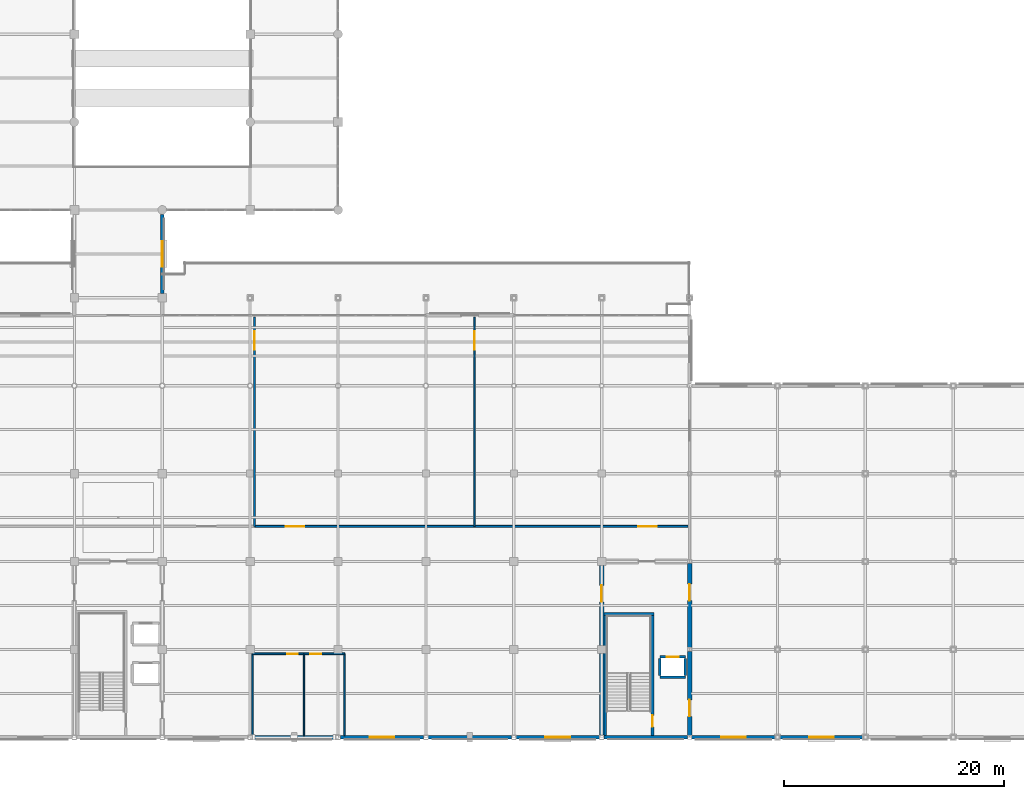
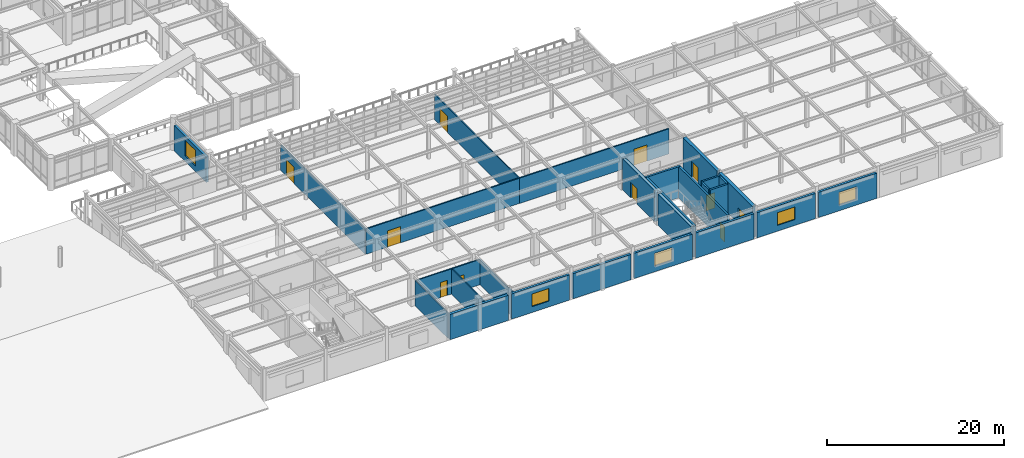
# One storey, part 84 of 111: 28 walls, 11 doors, 5 windows, 16 openings.
"""IFC4 building model written with IfcOpenShell, lengths in metres."""

from ifc_helpers import new_model, si_unit, direction, frame, frame_2d, origin, place, context, subcontext, project, spatial, rectangle, extrude, material, layer, layer_set, type_object, element, fill, save


model = new_model("IFC4")

# Units and contexts
model_context = context("Model", 3, precision=1e-05, world=origin(), true_north=direction((0.0, 1.0)))
body_context = subcontext(model_context, "Body", "Model", "MODEL_VIEW")
ifc_project = project(units=[si_unit("LENGTHUNIT", "METRE"), si_unit("AREAUNIT", "SQUARE_METRE"), si_unit("VOLUMEUNIT", "CUBIC_METRE"), si_unit("PLANEANGLEUNIT", "RADIAN"), si_unit("MASSUNIT", "GRAM", prefix="KILO")], contexts=[model_context])

# Site, building, storey
site_placement = place(None, origin())
site = spatial("IfcSite", under=ifc_project, at=site_placement, CompositionType="ELEMENT")
building_placement = place(site_placement, origin())
building = spatial("IfcBuilding", under=site, at=building_placement, Name="Solmirada Galleria", CompositionType="ELEMENT")
storey_placement = place(building_placement, frame((0.0, 0.0, 10.39990234375)))
storey = spatial("IfcBuildingStorey", under=building, at=storey_placement, Name="L02", CompositionType="ELEMENT", Elevation=10.39990234375)

# Wall
ifc_material_1 = material(Name="Concrete C40/50", Category="concrete")
ifc_layer_1 = layer(ifc_material_1, 0.419921875)
ifc_layer_set_1 = layer_set([ifc_layer_1], Name="Concrete C40/50")
wall_type_1 = type_object("IfcWallType", Name="WL-CORE-420", PredefinedType="SHEAR", material=ifc_layer_set_1)
wall_1_placement = place(storey_placement, frame((136.0, 0.202880859375, 0.0), z_axis=(0.0, 0.0, 1.0), x_axis=(0.0, 1.0, 0.0)))
element("IfcWall", 1, at=wall_1_placement, inside=storey, type_object=wall_type_1, Name="Core C6 shear wall L02 W1", PredefinedType="SHEAR", context=body_context, shape_type="SweptSolid", body=[
    extrude(rectangle(XDim=7.422119140625, YDim=0.419921875, at=frame_2d((3.7109375, 0.0))), origin(), (0.0, 0.0, 1.0), 4.280029296875),
])

# Wall, opening, door
wall_2_placement = place(storey_placement, frame((136.0, 8.375, 0.0), z_axis=(0.0, 0.0, 1.0), x_axis=(0.0, 1.0, 0.0)))
wall_2 = element("IfcWall", 2, at=wall_2_placement, inside=storey, type_object=wall_type_1, Name="Core C6 shear wall L02 W2", PredefinedType="SHEAR", context=body_context, shape_type="SweptSolid", body=[
    extrude(rectangle(XDim=7.25, YDim=0.419921875, at=frame_2d((3.625, 0.0))), origin(), (0.0, 0.0, 1.0), 4.280029296875),
])
opening_1_placement = place(wall_2_placement, frame((3.962890625, 0.0, 0.0)))
opening_1 = element("IfcOpeningElement", 3, at=opening_1_placement, cuts=wall_2, Name="Opening LDY-252", PredefinedType="OPENING", context=body_context, shape_type="SweptSolid", body=[
    extrude(rectangle(XDim=1.5, YDim=2.14990234375, at=frame_2d((0.75, 1.074951171875))), frame((0.0, 0.219970703125, 0.0), z_axis=(0.0, -1.0, 0.0), x_axis=(1.0, 0.0, 0.0)), (0.0, 0.0, 1.0), 0.43994140625),
])
ifc_material_2 = material(Name="Fire-rated painted steel door assembly", Category="steel")
door_type_1 = type_object("IfcDoorType", Name="DR-LOBBY-150X215", OperationType="DOUBLE_DOOR_SINGLE_SWING", PredefinedType="DOOR", material=ifc_material_2)
door_1_placement = place(opening_1_placement, origin())
door_1 = element("IfcDoor", 4, at=door_1_placement, inside=storey, type_object=door_type_1, Name="Core C6 lobby access fire door LDY-252", OperationType="DOUBLE_DOOR_SINGLE_SWING", OverallHeight=2.14990234375, OverallWidth=1.5, PredefinedType="DOOR", context=body_context, shape_type="SweptSolid", body=[
    extrude(rectangle(XDim=1.5, YDim=2.14990234375, at=frame_2d((0.75, 1.074951171875))), frame((0.0, 0.02490234375, 0.0), z_axis=(0.0, -1.0, 0.0), x_axis=(1.0, 0.0, 0.0)), (0.0, 0.0, 1.0), 0.050048828125),
])
fill(opening_1, door_1)

wall_3_placement = place(storey_placement, frame((144.0, 0.177978515625, 0.0), z_axis=(0.0, 0.0, 1.0), x_axis=(0.0, 1.0, 0.0)))
wall_3 = element("IfcWall", 5, at=wall_3_placement, inside=storey, type_object=wall_type_1, Name="Core C6 shear wall L02 E1", PredefinedType="SHEAR", context=body_context, shape_type="SweptSolid", body=[
    extrude(rectangle(XDim=7.64404296875, YDim=0.419921875, at=frame_2d((3.822021484375, 0.0))), origin(), (0.0, 0.0, 1.0), 4.280029296875),
])
opening_2_placement = place(wall_3_placement, frame((1.736083984375, 0.0, 0.0)))
opening_2 = element("IfcOpeningElement", 6, at=opening_2_placement, cuts=wall_3, Name="Opening LDY-253", PredefinedType="OPENING", context=body_context, shape_type="SweptSolid", body=[
    extrude(rectangle(XDim=1.5, YDim=2.14990234375, at=frame_2d((0.75, 1.074951171875))), frame((0.0, 0.219970703125, 0.0), z_axis=(0.0, -1.0, 0.0), x_axis=(1.0, 0.0, 0.0)), (0.0, 0.0, 1.0), 0.43994140625),
])
door_2_placement = place(opening_2_placement, origin())
door_2 = element("IfcDoor", 7, at=door_2_placement, inside=storey, type_object=door_type_1, Name="Core C6 lobby access fire door LDY-253", OperationType="DOUBLE_DOOR_SINGLE_SWING", OverallHeight=2.14990234375, OverallWidth=1.5, PredefinedType="DOOR", context=body_context, shape_type="SweptSolid", body=[
    extrude(rectangle(XDim=1.5, YDim=2.14990234375, at=frame_2d((0.75, 1.074951171875))), frame((0.0, 0.02490234375, 0.0), z_axis=(0.0, -1.0, 0.0), x_axis=(1.0, 0.0, 0.0)), (0.0, 0.0, 1.0), 0.050048828125),
])
fill(opening_2, door_2)

wall_4_placement = place(storey_placement, frame((144.0, 8.177978515625, 0.0), z_axis=(0.0, 0.0, 1.0), x_axis=(0.0, 1.0, 0.0)))
wall_4 = element("IfcWall", 8, at=wall_4_placement, inside=storey, type_object=wall_type_1, Name="Core C6 shear wall L02 E2", PredefinedType="SHEAR", context=body_context, shape_type="SweptSolid", body=[
    extrude(rectangle(XDim=7.64404296875, YDim=0.419921875, at=frame_2d((3.822021484375, 0.0))), origin(), (0.0, 0.0, 1.0), 4.280029296875),
])
opening_3_placement = place(wall_4_placement, frame((4.258056640625, 0.0, 0.0)))
opening_3 = element("IfcOpeningElement", 9, at=opening_3_placement, cuts=wall_4, Name="Opening LDY-254", PredefinedType="OPENING", context=body_context, shape_type="SweptSolid", body=[
    extrude(rectangle(XDim=1.5, YDim=2.14990234375, at=frame_2d((0.75, 1.074951171875))), frame((0.0, 0.219970703125, 0.0), z_axis=(0.0, -1.0, 0.0), x_axis=(1.0, 0.0, 0.0)), (0.0, 0.0, 1.0), 0.43994140625),
])
door_3_placement = place(opening_3_placement, origin())
door_3 = element("IfcDoor", 10, at=door_3_placement, inside=storey, type_object=door_type_1, Name="Core C6 lobby access fire door LDY-254", OperationType="DOUBLE_DOOR_SINGLE_SWING", OverallHeight=2.14990234375, OverallWidth=1.5, PredefinedType="DOOR", context=body_context, shape_type="SweptSolid", body=[
    extrude(rectangle(XDim=1.5, YDim=2.14990234375, at=frame_2d((0.75, 1.074951171875))), frame((0.0, 0.02490234375, 0.0), z_axis=(0.0, -1.0, 0.0), x_axis=(1.0, 0.0, 0.0)), (0.0, 0.0, 1.0), 0.050048828125),
])
fill(opening_3, door_3)

# Wall, opening, window
ifc_material_3 = material(Name="Precast concrete C40/50", Category="concrete")
ifc_layer_2 = layer(ifc_material_3, 0.31005859375)
ifc_layer_set_2 = layer_set([ifc_layer_2], Name="Precast concrete C40/50")
wall_type_2 = type_object("IfcWallType", Name="WL-EXT-310", PredefinedType="STANDARD", material=ifc_layer_set_2)
wall_5_placement = place(storey_placement, frame((159.822021484375, 0.0, 0.0), z_axis=(0.0, 0.0, 1.0), x_axis=(-1.0, 0.0, 0.0)))
wall_5 = element("IfcWall", 11, at=wall_5_placement, inside=storey, type_object=wall_type_2, Name="Exterior wall L02 bay 003", PredefinedType="STANDARD", context=body_context, shape_type="SweptSolid", body=[
    extrude(rectangle(XDim=7.64404296875, YDim=0.31005859375, at=frame_2d((3.822021484375, 0.0))), origin(), (0.0, 0.0, 1.0), 3.47998046875),
])
opening_4_placement = place(wall_5_placement, frame((2.697021484375, 0.0, 0.800048828125)))
opening_4 = element("IfcOpeningElement", 12, at=opening_4_placement, cuts=wall_5, Name="Opening WN9", PredefinedType="OPENING", context=body_context, shape_type="SweptSolid", body=[
    extrude(rectangle(XDim=2.25, YDim=1.75, at=frame_2d((1.125, 0.875))), frame((0.0, 0.1650390625, 0.0), z_axis=(0.0, -1.0, 0.0), x_axis=(1.0, 0.0, 0.0)), (0.0, 0.0, 1.0), 0.330078125),
])
ifc_material_4 = material(Name="Impact-resistant low-E double glazing", Category="glass")
window_type_1 = type_object("IfcWindowType", Name="WIN-LOG-225X175", PartitioningType="DOUBLE_PANEL_VERTICAL", PredefinedType="WINDOW", material=ifc_material_4)
window_1_placement = place(opening_4_placement, origin())
window_1 = element("IfcWindow", 13, at=window_1_placement, inside=storey, type_object=window_type_1, Name="Window L02-036", OverallHeight=1.75, OverallWidth=2.25, PartitioningType="DOUBLE_PANEL_VERTICAL", PredefinedType="WINDOW", context=body_context, shape_type="SweptSolid", body=[
    extrude(rectangle(XDim=2.25, YDim=1.75, at=frame_2d((1.125, 0.875))), frame((0.0, 0.030029296875, 0.0), z_axis=(0.0, -1.0, 0.0), x_axis=(1.0, 0.0, 0.0)), (0.0, 0.0, 1.0), 0.06005859375),
])
fill(opening_4, window_1)

wall_6_placement = place(storey_placement, frame((151.822021484375, 0.0, 0.0), z_axis=(0.0, 0.0, 1.0), x_axis=(-1.0, 0.0, 0.0)))
wall_6 = element("IfcWall", 14, at=wall_6_placement, inside=storey, type_object=wall_type_2, Name="Exterior wall L02 bay 004", PredefinedType="STANDARD", context=body_context, shape_type="SweptSolid", body=[
    extrude(rectangle(XDim=7.64404296875, YDim=0.31005859375, at=frame_2d((3.822021484375, 0.0))), origin(), (0.0, 0.0, 1.0), 3.47998046875),
])
opening_5_placement = place(wall_6_placement, frame((2.697021484375, 0.0, 0.800048828125)))
opening_5 = element("IfcOpeningElement", 15, at=opening_5_placement, cuts=wall_6, Name="Opening WN9", PredefinedType="OPENING", context=body_context, shape_type="SweptSolid", body=[
    extrude(rectangle(XDim=2.25, YDim=1.75, at=frame_2d((1.125, 0.875))), frame((0.0, 0.1650390625, 0.0), z_axis=(0.0, -1.0, 0.0), x_axis=(1.0, 0.0, 0.0)), (0.0, 0.0, 1.0), 0.330078125),
])
window_2_placement = place(opening_5_placement, origin())
window_2 = element("IfcWindow", 16, at=window_2_placement, inside=storey, type_object=window_type_1, Name="Window L02-037", OverallHeight=1.75, OverallWidth=2.25, PartitioningType="DOUBLE_PANEL_VERTICAL", PredefinedType="WINDOW", context=body_context, shape_type="SweptSolid", body=[
    extrude(rectangle(XDim=2.25, YDim=1.75, at=frame_2d((1.125, 0.875))), frame((0.0, 0.030029296875, 0.0), z_axis=(0.0, -1.0, 0.0), x_axis=(1.0, 0.0, 0.0)), (0.0, 0.0, 1.0), 0.06005859375),
])
fill(opening_5, window_2)

# Wall
wall_7_placement = place(storey_placement, frame((143.822021484375, 0.0, 0.0), z_axis=(0.0, 0.0, 1.0), x_axis=(-1.0, 0.0, 0.0)))
element("IfcWall", 17, at=wall_7_placement, inside=storey, type_object=wall_type_2, Name="Exterior wall L02 bay 005", PredefinedType="STANDARD", context=body_context, shape_type="SweptSolid", body=[
    extrude(rectangle(XDim=7.619140625, YDim=0.31005859375, at=frame_2d((3.8095703125, 0.0))), origin(), (0.0, 0.0, 1.0), 3.47998046875),
])

# Wall, opening, window
wall_8_placement = place(storey_placement, frame((135.797119140625, 0.0, 0.0), z_axis=(0.0, 0.0, 1.0), x_axis=(-1.0, 0.0, 0.0)))
wall_8 = element("IfcWall", 18, at=wall_8_placement, inside=storey, type_object=wall_type_2, Name="Exterior wall L02 bay 006", PredefinedType="STANDARD", context=body_context, shape_type="SweptSolid", body=[
    extrude(rectangle(XDim=7.59423828125, YDim=0.31005859375, at=frame_2d((3.797119140625, 0.0))), origin(), (0.0, 0.0, 1.0), 3.47998046875),
])
opening_6_placement = place(wall_8_placement, frame((2.672119140625, 0.0, 0.800048828125)))
opening_6 = element("IfcOpeningElement", 19, at=opening_6_placement, cuts=wall_8, Name="Opening WN9", PredefinedType="OPENING", context=body_context, shape_type="SweptSolid", body=[
    extrude(rectangle(XDim=2.25, YDim=1.75, at=frame_2d((1.125, 0.875))), frame((0.0, 0.1650390625, 0.0), z_axis=(0.0, -1.0, 0.0), x_axis=(1.0, 0.0, 0.0)), (0.0, 0.0, 1.0), 0.330078125),
])
window_3_placement = place(opening_6_placement, origin())
window_3 = element("IfcWindow", 20, at=window_3_placement, inside=storey, type_object=window_type_1, Name="Window L02-038", OverallHeight=1.75, OverallWidth=2.25, PartitioningType="DOUBLE_PANEL_VERTICAL", PredefinedType="WINDOW", context=body_context, shape_type="SweptSolid", body=[
    extrude(rectangle(XDim=2.25, YDim=1.75, at=frame_2d((1.125, 0.875))), frame((0.0, 0.030029296875, 0.0), z_axis=(0.0, -1.0, 0.0), x_axis=(1.0, 0.0, 0.0)), (0.0, 0.0, 1.0), 0.06005859375),
])
fill(opening_6, window_3)

# Wall
wall_9_placement = place(storey_placement, frame((127.797119140625, 0.0, 0.0), z_axis=(0.0, 0.0, 1.0), x_axis=(-1.0, 0.0, 0.0)))
element("IfcWall", 21, at=wall_9_placement, inside=storey, type_object=wall_type_2, Name="Exterior wall L02 bay 007", PredefinedType="STANDARD", context=body_context, shape_type="SweptSolid", body=[
    extrude(rectangle(XDim=7.59423828125, YDim=0.31005859375, at=frame_2d((3.797119140625, 0.0))), origin(), (0.0, 0.0, 1.0), 3.47998046875),
])

# Wall, opening, window
wall_10_placement = place(storey_placement, frame((119.797119140625, 0.0, 0.0), z_axis=(0.0, 0.0, 1.0), x_axis=(-1.0, 0.0, 0.0)))
wall_10 = element("IfcWall", 22, at=wall_10_placement, inside=storey, type_object=wall_type_2, Name="Exterior wall L02 bay 008", PredefinedType="STANDARD", context=body_context, shape_type="SweptSolid", body=[
    extrude(rectangle(XDim=7.59423828125, YDim=0.31005859375, at=frame_2d((3.797119140625, 0.0))), origin(), (0.0, 0.0, 1.0), 3.47998046875),
])
opening_7_placement = place(wall_10_placement, frame((2.672119140625, 0.0, 0.800048828125)))
opening_7 = element("IfcOpeningElement", 23, at=opening_7_placement, cuts=wall_10, Name="Opening WN9", PredefinedType="OPENING", context=body_context, shape_type="SweptSolid", body=[
    extrude(rectangle(XDim=2.25, YDim=1.75, at=frame_2d((1.125, 0.875))), frame((0.0, 0.1650390625, 0.0), z_axis=(0.0, -1.0, 0.0), x_axis=(1.0, 0.0, 0.0)), (0.0, 0.0, 1.0), 0.330078125),
])
window_4_placement = place(opening_7_placement, origin())
window_4 = element("IfcWindow", 24, at=window_4_placement, inside=storey, type_object=window_type_1, Name="Window L02-039", OverallHeight=1.75, OverallWidth=2.25, PartitioningType="DOUBLE_PANEL_VERTICAL", PredefinedType="WINDOW", context=body_context, shape_type="SweptSolid", body=[
    extrude(rectangle(XDim=2.25, YDim=1.75, at=frame_2d((1.125, 0.875))), frame((0.0, 0.030029296875, 0.0), z_axis=(0.0, -1.0, 0.0), x_axis=(1.0, 0.0, 0.0)), (0.0, 0.0, 1.0), 0.06005859375),
])
fill(opening_7, window_4)

wall_11_placement = place(storey_placement, frame((96.0, 47.60009765625, 0.0), z_axis=(0.0, 0.0, 1.0), x_axis=(0.0, -1.0, 0.0)))
wall_11 = element("IfcWall", 25, at=wall_11_placement, inside=storey, type_object=wall_type_2, Name="Exterior wall L02 bay 081", PredefinedType="STANDARD", context=body_context, shape_type="SweptSolid", body=[
    extrude(rectangle(XDim=7.22509765625, YDim=0.31005859375, at=frame_2d((3.612548828125, 0.0))), origin(), (0.0, 0.0, 1.0), 3.47998046875),
])
opening_8_placement = place(wall_11_placement, frame((2.43798828125, 0.0, 0.800048828125)))
opening_8 = element("IfcOpeningElement", 26, at=opening_8_placement, cuts=wall_11, Name="Opening WN2", PredefinedType="OPENING", context=body_context, shape_type="SweptSolid", body=[
    extrude(rectangle(XDim=2.35009765625, YDim=2.14990234375, at=frame_2d((1.175048828125, 1.074951171875))), frame((0.0, 0.1650390625, 0.0), z_axis=(0.0, -1.0, 0.0), x_axis=(1.0, 0.0, 0.0)), (0.0, 0.0, 1.0), 0.330078125),
])
window_type_2 = type_object("IfcWindowType", Name="WIN-AVE-235X215", PartitioningType="DOUBLE_PANEL_VERTICAL", PredefinedType="WINDOW", material=ifc_material_4)
window_5_placement = place(opening_8_placement, origin())
window_5 = element("IfcWindow", 27, at=window_5_placement, inside=storey, type_object=window_type_2, Name="Window L02-060", OverallHeight=2.14990234375, OverallWidth=2.35009765625, PartitioningType="DOUBLE_PANEL_VERTICAL", PredefinedType="WINDOW", context=body_context, shape_type="SweptSolid", body=[
    extrude(rectangle(XDim=2.35009765625, YDim=2.14990234375, at=frame_2d((1.175048828125, 1.074951171875))), frame((0.0, 0.030029296875, 0.0), z_axis=(0.0, -1.0, 0.0), x_axis=(1.0, 0.0, 0.0)), (0.0, 0.0, 1.0), 0.06005859375),
])
fill(opening_8, window_5)

# Wall, opening, door
ifc_layer_3 = layer(ifc_material_1, 0.239990234375)
ifc_layer_set_3 = layer_set([ifc_layer_3], Name="Concrete C40/50")
wall_type_3 = type_object("IfcWallType", Name="WL-HOIST-240", PredefinedType="PARTITIONING", material=ifc_layer_set_3)
wall_12_placement = place(storey_placement, frame((141.294921875, 7.330078125, 0.0), z_axis=(0.0, 0.0, 1.0), x_axis=(1.0, 0.0, 0.0)))
wall_12 = element("IfcWall", 28, at=wall_12_placement, inside=storey, type_object=wall_type_3, Name="Lift LP6 hoistway front wall L02", PredefinedType="PARTITIONING", context=body_context, shape_type="SweptSolid", body=[
    extrude(rectangle(XDim=2.31005859375, YDim=0.239990234375, at=frame_2d((1.155029296875, 0.0))), origin(), (0.0, 0.0, 1.0), 4.280029296875),
])
opening_9_placement = place(wall_12_placement, frame((0.60498046875, 0.0, 0.0)))
opening_9 = element("IfcOpeningElement", 29, at=opening_9_placement, cuts=wall_12, Name="Opening LD-LP6-L02", PredefinedType="OPENING", context=body_context, shape_type="SweptSolid", body=[
    extrude(rectangle(XDim=1.10009765625, YDim=2.14990234375, at=frame_2d((0.550048828125, 1.074951171875))), frame((0.0, 0.1298828125, 0.0), z_axis=(0.0, -1.0, 0.0), x_axis=(1.0, 0.0, 0.0)), (0.0, 0.0, 1.0), 0.260009765625),
])
ifc_material_5 = material(Name="Brushed stainless-steel sliding landing door", Category="steel")
door_type_2 = type_object("IfcDoorType", Name="DR-LIFT-110X215", OperationType="SLIDING_TO_LEFT", PredefinedType="DOOR", material=ifc_material_5)
door_4_placement = place(opening_9_placement, origin())
door_4 = element("IfcDoor", 30, at=door_4_placement, inside=storey, type_object=door_type_2, Name="Lift LP6 sliding landing door L02", OperationType="SLIDING_TO_LEFT", OverallHeight=2.14990234375, OverallWidth=1.10009765625, PredefinedType="DOOR", context=body_context, shape_type="SweptSolid", body=[
    extrude(rectangle(XDim=1.10009765625, YDim=2.14990234375, at=frame_2d((0.550048828125, 1.074951171875))), frame((0.0, 0.02490234375, 0.0), z_axis=(0.0, -1.0, 0.0), x_axis=(1.0, 0.0, 0.0)), (0.0, 0.0, 1.0), 0.050048828125),
])
fill(opening_9, door_4)

# Walls
wall_13_placement = place(storey_placement, frame((141.294921875, 5.469970703125, 0.0), z_axis=(0.0, 0.0, 1.0), x_axis=(1.0, 0.0, 0.0)))
element("IfcWall", 31, at=wall_13_placement, inside=storey, type_object=wall_type_3, Name="Lift LP6 hoistway rear wall L02", PredefinedType="PARTITIONING", context=body_context, shape_type="SweptSolid", body=[
    extrude(rectangle(XDim=2.31005859375, YDim=0.239990234375, at=frame_2d((1.155029296875, 0.0))), origin(), (0.0, 0.0, 1.0), 4.280029296875),
])
for number, where, z_axis, x_axis, name in (
    (32, (141.294921875, 5.610107421875, 0.0), (0.0, 0.0, 1.0), (0.0, 1.0, 0.0), "Lift LP6 hoistway side wall L L02"),
    (33, (143.60498046875, 5.610107421875, 0.0), (0.0, 0.0, 1.0), (0.0, 1.0, 0.0), "Lift LP6 hoistway side wall R L02"),
):
    element("IfcWall", number, at=place(storey_placement, frame(where, z_axis=z_axis, x_axis=x_axis)), inside=storey, type_object=wall_type_3, Name=name, PredefinedType="PARTITIONING", context=body_context, shape_type="SweptSolid", body=[
        extrude(rectangle(XDim=1.579833984375, YDim=0.239990234375, at=frame_2d((0.7900390625, 0.0))), origin(), (0.0, 0.0, 1.0), 4.280029296875),
    ])
ifc_material_6 = material(Name="Acoustic gypsum board partition")
ifc_layer_4 = layer(ifc_material_6, 0.135009765625)
ifc_layer_set_4 = layer_set([ifc_layer_4], Name="Acoustic gypsum board partition")
wall_type_4 = type_object("IfcWallType", Name="WL-PART-135", PredefinedType="PARTITIONING", material=ifc_layer_set_4)
for number, where, z_axis, x_axis, name in (
    (34, (104.199951171875, 0.14990234375, 0.0), (0.0, 0.0, 1.0), (0.0, 1.0, 0.0), "Partition L02-079 (South WC West)"),
    (35, (108.89990234375, 0.14990234375, 0.0), (0.0, 0.0, 1.0), (0.0, 1.0, 0.0), "Partition L02-080 (South WC Divider)"),
    (36, (112.60009765625, 0.14990234375, 0.0), (0.0, 0.0, 1.0), (0.0, 1.0, 0.0), "Partition L02-081 (South WC East)"),
):
    element("IfcWall", number, at=place(storey_placement, frame(where, z_axis=z_axis, x_axis=x_axis)), inside=storey, type_object=wall_type_4, Name=name, PredefinedType="PARTITIONING", context=body_context, shape_type="SweptSolid", body=[
        extrude(rectangle(XDim=7.4501953125, YDim=0.135009765625, at=frame_2d((3.72509765625, 0.0))), origin(), (0.0, 0.0, 1.0), 3.47998046875),
    ])

# Wall, opening, door
wall_14_placement = place(storey_placement, frame((124.39990234375, 19.199951171875, 0.0), z_axis=(0.0, 0.0, 1.0), x_axis=(0.0, 1.0, 0.0)))
wall_14 = element("IfcWall", 37, at=wall_14_placement, inside=storey, type_object=wall_type_4, Name="Partition L02-086 (South Department E L02)", PredefinedType="PARTITIONING", context=body_context, shape_type="SweptSolid", body=[
    extrude(rectangle(XDim=19.050048828125, YDim=0.135009765625, at=frame_2d((9.52490234375, 0.0))), origin(), (0.0, 0.0, 1.0), 3.47998046875),
])
opening_10_placement = place(wall_14_placement, frame((16.074951171875, 0.0, 0.0)))
opening_10 = element("IfcOpeningElement", 38, at=opening_10_placement, cuts=wall_14, Name="Opening ID-319", PredefinedType="OPENING", context=body_context, shape_type="SweptSolid", body=[
    extrude(rectangle(XDim=1.699951171875, YDim=2.25, at=frame_2d((0.85009765625, 1.125))), frame((0.0, 0.077392578125, 0.0), z_axis=(0.0, -1.0, 0.0), x_axis=(1.0, 0.0, 0.0)), (0.0, 0.0, 1.0), 0.155029296875),
])
ifc_material_7 = material(Name="Architectural hardwood veneer door", Category="wood")
door_type_3 = type_object("IfcDoorType", Name="DR-DEPT-170X225", OperationType="DOUBLE_DOOR_SINGLE_SWING", PredefinedType="DOOR", material=ifc_material_7)
door_5_placement = place(opening_10_placement, origin())
door_5 = element("IfcDoor", 39, at=door_5_placement, inside=storey, type_object=door_type_3, Name="South Department E L02 door ID-319", OperationType="DOUBLE_DOOR_SINGLE_SWING", OverallHeight=2.25, OverallWidth=1.699951171875, PredefinedType="DOOR", context=body_context, shape_type="SweptSolid", body=[
    extrude(rectangle(XDim=1.699951171875, YDim=2.25, at=frame_2d((0.85009765625, 1.125))), frame((0.0, 0.02490234375, 0.0), z_axis=(0.0, -1.0, 0.0), x_axis=(1.0, 0.0, 0.0)), (0.0, 0.0, 1.0), 0.050048828125),
])
fill(opening_10, door_5)

ifc_layer_5 = layer(ifc_material_6, 0.159912109375)
ifc_layer_set_5 = layer_set([ifc_layer_5], Name="Acoustic gypsum board partition")
wall_type_5 = type_object("IfcWallType", Name="WL-PART-160", PredefinedType="PARTITIONING", material=ifc_layer_set_5)
wall_15_placement = place(storey_placement, frame((104.199951171875, 7.60009765625, 0.0), z_axis=(0.0, 0.0, 1.0), x_axis=(1.0, 0.0, 0.0)))
wall_15 = element("IfcWall", 40, at=wall_15_placement, inside=storey, type_object=wall_type_5, Name="Partition L02-077 (South Restroom)", PredefinedType="PARTITIONING", context=body_context, shape_type="SweptSolid", body=[
    extrude(rectangle(XDim=4.699951171875, YDim=0.159912109375, at=frame_2d((2.35009765625, 0.0))), origin(), (0.0, 0.0, 1.0), 3.47998046875),
])
opening_11_placement = place(wall_15_placement, frame((3.193115234375, 0.0, 0.0)))
opening_11 = element("IfcOpeningElement", 41, at=opening_11_placement, cuts=wall_15, Name="Opening ID-313", PredefinedType="OPENING", context=body_context, shape_type="SweptSolid", body=[
    extrude(rectangle(XDim=0.919921875, YDim=2.10009765625, at=frame_2d((0.4599609375, 1.050048828125))), frame((0.0, 0.08984375, 0.0), z_axis=(0.0, -1.0, 0.0), x_axis=(1.0, 0.0, 0.0)), (0.0, 0.0, 1.0), 0.179931640625),
])
door_type_4 = type_object("IfcDoorType", Name="DR-WC-092X210", OperationType="NOTDEFINED", PredefinedType="DOOR", material=ifc_material_7)
door_6_placement = place(opening_11_placement, origin())
door_6 = element("IfcDoor", 42, at=door_6_placement, inside=storey, type_object=door_type_4, Name="South Restroom door ID-313", OperationType="SINGLE_SWING_RIGHT", OverallHeight=2.10009765625, OverallWidth=0.919921875, PredefinedType="DOOR", context=body_context, shape_type="SweptSolid", body=[
    extrude(rectangle(XDim=0.919921875, YDim=2.10009765625, at=frame_2d((0.4599609375, 1.050048828125))), frame((0.0, 0.02490234375, 0.0), z_axis=(0.0, -1.0, 0.0), x_axis=(1.0, 0.0, 0.0)), (0.0, 0.0, 1.0), 0.050048828125),
])
fill(opening_11, door_6)

wall_16_placement = place(storey_placement, frame((108.89990234375, 7.60009765625, 0.0), z_axis=(0.0, 0.0, 1.0), x_axis=(1.0, 0.0, 0.0)))
wall_16 = element("IfcWall", 43, at=wall_16_placement, inside=storey, type_object=wall_type_5, Name="Partition L02-078 (South Accessible WC)", PredefinedType="PARTITIONING", context=body_context, shape_type="SweptSolid", body=[
    extrude(rectangle(XDim=3.7001953125, YDim=0.159912109375, at=frame_2d((1.85009765625, 0.0))), origin(), (0.0, 0.0, 1.0), 3.47998046875),
])
opening_12_placement = place(wall_16_placement, frame((0.548095703125, 0.0, 0.0)))
opening_12 = element("IfcOpeningElement", 44, at=opening_12_placement, cuts=wall_16, Name="Opening ID-314", PredefinedType="OPENING", context=body_context, shape_type="SweptSolid", body=[
    extrude(rectangle(XDim=1.02001953125, YDim=2.10009765625, at=frame_2d((0.510009765625, 1.050048828125))), frame((0.0, 0.08984375, 0.0), z_axis=(0.0, -1.0, 0.0), x_axis=(1.0, 0.0, 0.0)), (0.0, 0.0, 1.0), 0.179931640625),
])
door_type_5 = type_object("IfcDoorType", Name="DR-AWC-102X210", OperationType="NOTDEFINED", PredefinedType="DOOR", material=ifc_material_7)
door_7_placement = place(opening_12_placement, origin())
door_7 = element("IfcDoor", 45, at=door_7_placement, inside=storey, type_object=door_type_5, Name="South Accessible WC door ID-314", OperationType="SINGLE_SWING_LEFT", OverallHeight=2.10009765625, OverallWidth=1.02001953125, PredefinedType="DOOR", context=body_context, shape_type="SweptSolid", body=[
    extrude(rectangle(XDim=1.02001953125, YDim=2.10009765625, at=frame_2d((0.510009765625, 1.050048828125))), frame((0.0, 0.02490234375, 0.0), z_axis=(0.0, -1.0, 0.0), x_axis=(1.0, 0.0, 0.0)), (0.0, 0.0, 1.0), 0.050048828125),
])
fill(opening_12, door_7)

wall_17_placement = place(storey_placement, frame((104.39990234375, 19.199951171875, 0.0), z_axis=(0.0, 0.0, 1.0), x_axis=(1.0, 0.0, 0.0)))
wall_17 = element("IfcWall", 46, at=wall_17_placement, inside=storey, type_object=wall_type_5, Name="Partition L02-083 (South Gallery C L02)", PredefinedType="PARTITIONING", context=body_context, shape_type="SweptSolid", body=[
    extrude(rectangle(XDim=20.0, YDim=0.159912109375, at=frame_2d((10.0, 0.0))), origin(), (0.0, 0.0, 1.0), 3.47998046875),
])
opening_13_placement = place(wall_17_placement, frame((2.820068359375, 0.0, 0.0)))
opening_13 = element("IfcOpeningElement", 47, at=opening_13_placement, cuts=wall_17, Name="Opening ID-316", PredefinedType="OPENING", context=body_context, shape_type="SweptSolid", body=[
    extrude(rectangle(XDim=1.699951171875, YDim=2.25, at=frame_2d((0.85009765625, 1.125))), frame((0.0, 0.08984375, 0.0), z_axis=(0.0, -1.0, 0.0), x_axis=(1.0, 0.0, 0.0)), (0.0, 0.0, 1.0), 0.179931640625),
])
door_8_placement = place(opening_13_placement, origin())
door_8 = element("IfcDoor", 48, at=door_8_placement, inside=storey, type_object=door_type_3, Name="South Gallery C L02 door ID-316", OperationType="DOUBLE_DOOR_SINGLE_SWING", OverallHeight=2.25, OverallWidth=1.699951171875, PredefinedType="DOOR", context=body_context, shape_type="SweptSolid", body=[
    extrude(rectangle(XDim=1.699951171875, YDim=2.25, at=frame_2d((0.85009765625, 1.125))), frame((0.0, 0.02490234375, 0.0), z_axis=(0.0, -1.0, 0.0), x_axis=(1.0, 0.0, 0.0)), (0.0, 0.0, 1.0), 0.050048828125),
])
fill(opening_13, door_8)

wall_18_placement = place(storey_placement, frame((124.39990234375, 19.199951171875, 0.0), z_axis=(0.0, 0.0, 1.0), x_axis=(1.0, 0.0, 0.0)))
wall_18 = element("IfcWall", 49, at=wall_18_placement, inside=storey, type_object=wall_type_5, Name="Partition L02-084 (South Gallery E L02)", PredefinedType="PARTITIONING", context=body_context, shape_type="SweptSolid", body=[
    extrude(rectangle(XDim=19.4501953125, YDim=0.159912109375, at=frame_2d((9.72509765625, 0.0))), origin(), (0.0, 0.0, 1.0), 3.47998046875),
])
opening_14_placement = place(wall_18_placement, frame((14.919921875, 0.0, 0.0)))
opening_14 = element("IfcOpeningElement", 50, at=opening_14_placement, cuts=wall_18, Name="Opening ID-317", PredefinedType="OPENING", context=body_context, shape_type="SweptSolid", body=[
    extrude(rectangle(XDim=1.699951171875, YDim=2.25, at=frame_2d((0.85009765625, 1.125))), frame((0.0, 0.08984375, 0.0), z_axis=(0.0, -1.0, 0.0), x_axis=(1.0, 0.0, 0.0)), (0.0, 0.0, 1.0), 0.179931640625),
])
door_9_placement = place(opening_14_placement, origin())
door_9 = element("IfcDoor", 51, at=door_9_placement, inside=storey, type_object=door_type_3, Name="South Gallery E L02 door ID-317", OperationType="DOUBLE_DOOR_SINGLE_SWING", OverallHeight=2.25, OverallWidth=1.699951171875, PredefinedType="DOOR", context=body_context, shape_type="SweptSolid", body=[
    extrude(rectangle(XDim=1.699951171875, YDim=2.25, at=frame_2d((0.85009765625, 1.125))), frame((0.0, 0.02490234375, 0.0), z_axis=(0.0, -1.0, 0.0), x_axis=(1.0, 0.0, 0.0)), (0.0, 0.0, 1.0), 0.050048828125),
])
fill(opening_14, door_9)

wall_19_placement = place(storey_placement, frame((104.39990234375, 19.199951171875, 0.0), z_axis=(0.0, 0.0, 1.0), x_axis=(0.0, 1.0, 0.0)))
wall_19 = element("IfcWall", 52, at=wall_19_placement, inside=storey, type_object=wall_type_5, Name="Partition L02-085 (South Department W L02)", PredefinedType="PARTITIONING", context=body_context, shape_type="SweptSolid", body=[
    extrude(rectangle(XDim=19.050048828125, YDim=0.159912109375, at=frame_2d((9.52490234375, 0.0))), origin(), (0.0, 0.0, 1.0), 3.47998046875),
])
opening_15_placement = place(wall_19_placement, frame((16.074951171875, 0.0, 0.0)))
opening_15 = element("IfcOpeningElement", 53, at=opening_15_placement, cuts=wall_19, Name="Opening ID-318", PredefinedType="OPENING", context=body_context, shape_type="SweptSolid", body=[
    extrude(rectangle(XDim=1.699951171875, YDim=2.25, at=frame_2d((0.85009765625, 1.125))), frame((0.0, 0.08984375, 0.0), z_axis=(0.0, -1.0, 0.0), x_axis=(1.0, 0.0, 0.0)), (0.0, 0.0, 1.0), 0.179931640625),
])
door_10_placement = place(opening_15_placement, origin())
door_10 = element("IfcDoor", 54, at=door_10_placement, inside=storey, type_object=door_type_3, Name="South Department W L02 door ID-318", OperationType="DOUBLE_DOOR_SINGLE_SWING", OverallHeight=2.25, OverallWidth=1.699951171875, PredefinedType="DOOR", context=body_context, shape_type="SweptSolid", body=[
    extrude(rectangle(XDim=1.699951171875, YDim=2.25, at=frame_2d((0.85009765625, 1.125))), frame((0.0, 0.02490234375, 0.0), z_axis=(0.0, -1.0, 0.0), x_axis=(1.0, 0.0, 0.0)), (0.0, 0.0, 1.0), 0.050048828125),
])
fill(opening_15, door_10)

# Walls
ifc_layer_6 = layer(ifc_material_1, 0.260009765625)
ifc_layer_set_6 = layer_set([ifc_layer_6], Name="Concrete C40/50")
wall_type_6 = type_object("IfcWallType", Name="WL-SHAFT-260", PredefinedType="SHEAR", material=ifc_layer_set_6)
wall_20_placement = place(storey_placement, frame((136.18994140625, 11.22998046875, 0.0), z_axis=(0.0, 0.0, 1.0), x_axis=(1.0, 0.0, 0.0)))
element("IfcWall", 55, at=wall_20_placement, inside=storey, type_object=wall_type_6, Name="Stair ST6 enclosure wall L02 N", PredefinedType="SHEAR", context=body_context, shape_type="SweptSolid", body=[
    extrude(rectangle(XDim=4.570068359375, YDim=0.260009765625, at=frame_2d((2.28515625, 0.0))), origin(), (0.0, 0.0, 1.0), 4.280029296875),
])
wall_21_placement = place(storey_placement, frame((136.320068359375, 0.14501953125, 0.0), z_axis=(0.0, 0.0, 1.0), x_axis=(0.0, 1.0, 0.0)))
element("IfcWall", 56, at=wall_21_placement, inside=storey, type_object=wall_type_6, Name="Stair ST6 enclosure wall L02 W", PredefinedType="SHEAR", context=body_context, shape_type="SweptSolid", body=[
    extrude(rectangle(XDim=10.955078125, YDim=0.260009765625, at=frame_2d((5.4775390625, 0.0))), origin(), (0.0, 0.0, 1.0), 4.280029296875),
])

# Wall, opening, door
wall_22_placement = place(storey_placement, frame((140.6298828125, 0.14501953125, 0.0), z_axis=(0.0, 0.0, 1.0), x_axis=(0.0, 1.0, 0.0)))
wall_22 = element("IfcWall", 57, at=wall_22_placement, inside=storey, type_object=wall_type_6, Name="Stair ST6 enclosure wall L02 E", PredefinedType="SHEAR", context=body_context, shape_type="SweptSolid", body=[
    extrude(rectangle(XDim=10.955078125, YDim=0.260009765625, at=frame_2d((5.4775390625, 0.0))), origin(), (0.0, 0.0, 1.0), 4.280029296875),
])
opening_16_placement = place(wall_22_placement, frame((0.804931640625, 0.0, 0.0)))
opening_16 = element("IfcOpeningElement", 58, at=opening_16_placement, cuts=wall_22, Name="Opening SD-250", PredefinedType="OPENING", context=body_context, shape_type="SweptSolid", body=[
    extrude(rectangle(XDim=1.050048828125, YDim=2.14990234375, at=frame_2d((0.52490234375, 1.074951171875))), frame((0.0, 0.139892578125, 0.0), z_axis=(0.0, -1.0, 0.0), x_axis=(1.0, 0.0, 0.0)), (0.0, 0.0, 1.0), 0.280029296875),
])
door_type_6 = type_object("IfcDoorType", Name="DR-STAIR-105X215", OperationType="NOTDEFINED", PredefinedType="DOOR", material=ifc_material_2)
door_11_placement = place(opening_16_placement, origin())
door_11 = element("IfcDoor", 59, at=door_11_placement, inside=storey, type_object=door_type_6, Name="Exit stair ST6 enclosure fire door SD-250", OperationType="SINGLE_SWING_LEFT", OverallHeight=2.14990234375, OverallWidth=1.050048828125, PredefinedType="DOOR", context=body_context, shape_type="SweptSolid", body=[
    extrude(rectangle(XDim=1.050048828125, YDim=2.14990234375, at=frame_2d((0.52490234375, 1.074951171875))), frame((0.0, 0.02490234375, 0.0), z_axis=(0.0, -1.0, 0.0), x_axis=(1.0, 0.0, 0.0)), (0.0, 0.0, 1.0), 0.050048828125),
])
fill(opening_16, door_11)

# Wall
ifc_material_8 = material(Name="Architectural concrete masonry C30/37", Category="masonry")
ifc_layer_7 = layer(ifc_material_8, 0.360107421875)
ifc_layer_set_7 = layer_set([ifc_layer_7], Name="Architectural concrete masonry C30/37")
wall_type_7 = type_object("IfcWallType", Name="WL-SOLID-360", PredefinedType="SOLIDWALL", material=ifc_layer_set_7)
wall_23_placement = place(storey_placement, frame((111.797119140625, 0.0, 0.0), z_axis=(0.0, 0.0, 1.0), x_axis=(-1.0, 0.0, 0.0)))
element("IfcWall", 60, at=wall_23_placement, inside=storey, type_object=wall_type_7, Name="Exterior wall L02 bay 009", PredefinedType="SOLIDWALL", context=body_context, shape_type="SweptSolid", body=[
    extrude(rectangle(XDim=7.59423828125, YDim=0.360107421875, at=frame_2d((3.797119140625, 0.0))), origin(), (0.0, 0.0, 1.0), 3.47998046875),
])

save(model, "model.ifc")
